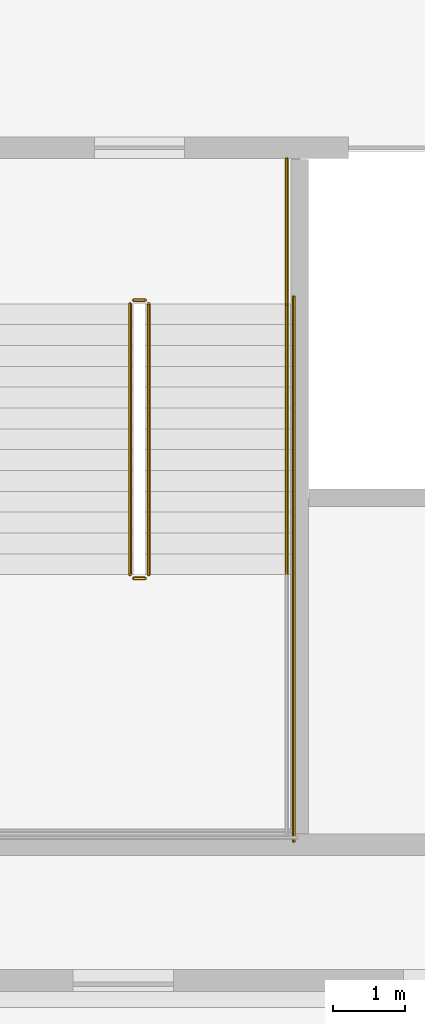
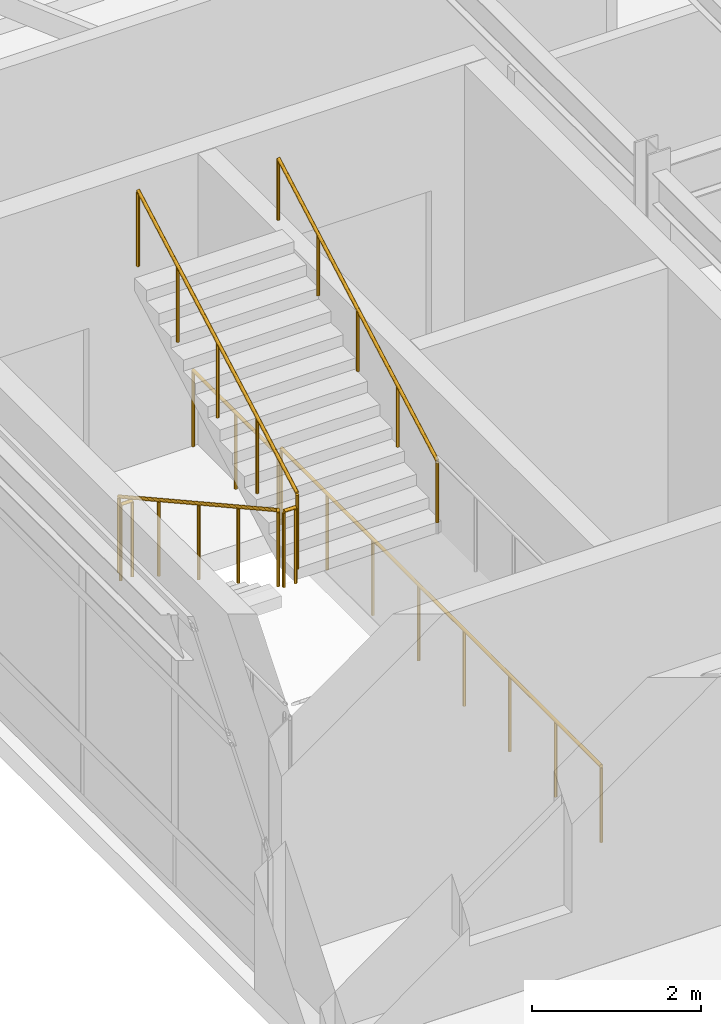
# One storey, part 79 of 88: 7 railings.
"""IFC4 building model written with IfcOpenShell, lengths in metres."""

from ifc_helpers import new_model, si_unit, direction, frame, origin, origin_2d, place, context, subcontext, project, spatial, circle, extrude, material, layer, layer_set, type_object, element, save


model = new_model("IFC4")

# Units and contexts
model_context = context("Model", 3, precision=1e-05, world=origin(), true_north=direction((0.0, 1.0)))
body_context = subcontext(model_context, "Body", "Model", "MODEL_VIEW")
ifc_project = project(units=[si_unit("LENGTHUNIT", "METRE"), si_unit("AREAUNIT", "SQUARE_METRE"), si_unit("VOLUMEUNIT", "CUBIC_METRE"), si_unit("PLANEANGLEUNIT", "RADIAN"), si_unit("MASSUNIT", "GRAM", prefix="KILO")], contexts=[model_context])

# Site, building, storey
site_placement = place(None, origin())
site = spatial("IfcSite", under=ifc_project, at=site_placement, CompositionType="ELEMENT")
building_placement = place(site_placement, origin())
building = spatial("IfcBuilding", under=site, at=building_placement, Name="Sarnbrook Museum", CompositionType="ELEMENT")
storey_placement = place(building_placement, frame((0.0, 0.0, 10.10009765625)))
storey = spatial("IfcBuildingStorey", under=building, at=storey_placement, Name="L02", CompositionType="ELEMENT", Elevation=10.10009765625)

# Railings
ifc_material = material(Name="Brushed Stainless Steel Grade 316", Category="steel")
ifc_layer_1 = layer(ifc_material, 0.050048828125)
ifc_layer_set_1 = layer_set([ifc_layer_1], Name="Brushed Stainless Steel Grade 316")
railing_type_1 = type_object("IfcRailingType", Name="Guard_Int1120", PredefinedType="BALUSTRADE", material=ifc_layer_set_1)
railing_1_placement = place(storey_placement, frame((16.409912109375, 48.8798828125, 0.16064453125)))
element("IfcRailing", 1, at=railing_1_placement, inside=storey, type_object=railing_type_1, Name="L02 ST5 stair guard 1", PredefinedType="BALUSTRADE", context=body_context, shape_type="SweptSolid", body=[
    extrude(circle(Radius=0.02392578125, at=origin_2d()), frame((0.0, 0.0, 1.09619140625), z_axis=(0.0, -0.874645791573, 0.484762559697), x_axis=(1.0, 0.0, 0.0)), (0.0, 0.0, 1.0), 4.31005859375),
    extrude(circle(Radius=0.02099609375, at=origin_2d()), origin(), (0.0, 0.0, 1.0), 1.072021484375),
    extrude(circle(Radius=0.02099609375, at=origin_2d()), frame((0.0, -0.9423828125, 0.5224609375)), (0.0, 0.0, 1.0), 1.072021484375),
    extrude(circle(Radius=0.02099609375, at=origin_2d()), frame((0.0, -1.884765625, 1.044677734375)), (0.0, 0.0, 1.0), 1.072021484375),
    extrude(circle(Radius=0.02099609375, at=origin_2d()), frame((0.0, -2.827392578125, 1.56689453125)), (0.0, 0.0, 1.0), 1.072021484375),
    extrude(circle(Radius=0.02099609375, at=origin_2d()), frame((0.0, -3.769775390625, 2.08935546875)), (0.0, 0.0, 1.0), 1.072021484375),
])
railing_2_placement = place(storey_placement, frame((16.4599609375, 45.06005859375, 2.25)))
element("IfcRailing", 2, at=railing_2_placement, inside=storey, type_object=railing_type_1, Name="L02 ST5 stair guard 2", PredefinedType="BALUSTRADE", context=body_context, shape_type="SweptSolid", body=[
    extrude(circle(Radius=0.02392578125, at=origin_2d()), frame((0.0, 0.0, 1.09619140625), z_axis=(1.0, 0.0, 0.0), x_axis=(0.0, 1.0, 0.0)), (0.0, 0.0, 1.0), 0.16015625),
    extrude(circle(Radius=0.02099609375, at=origin_2d()), origin(), (0.0, 0.0, 1.0), 1.072021484375),
    extrude(circle(Radius=0.02099609375, at=origin_2d()), frame((0.16015625, 0.0, 0.0)), (0.0, 0.0, 1.0), 1.072021484375),
])
railing_3_placement = place(storey_placement, frame((16.669921875, 45.110107421875, 2.41064453125)))
element("IfcRailing", 3, at=railing_3_placement, inside=storey, type_object=railing_type_1, Name="L02 ST5 stair guard 6", PredefinedType="BALUSTRADE", context=body_context, shape_type="SweptSolid", body=[
    extrude(circle(Radius=0.02392578125, at=origin_2d()), frame((0.0, 0.0, 1.09619140625), z_axis=(0.0, 0.874645791573, 0.484762559697), x_axis=(-1.0, 0.0, 0.0)), (0.0, 0.0, 1.0), 4.31005859375),
    extrude(circle(Radius=0.02099609375, at=origin_2d()), origin(), (0.0, 0.0, 1.0), 1.072021484375),
    extrude(circle(Radius=0.02099609375, at=origin_2d()), frame((0.0, 0.9423828125, 0.5224609375)), (0.0, 0.0, 1.0), 1.072021484375),
    extrude(circle(Radius=0.02099609375, at=origin_2d()), frame((0.0, 1.884765625, 1.044677734375)), (0.0, 0.0, 1.0), 1.072021484375),
    extrude(circle(Radius=0.02099609375, at=origin_2d()), frame((0.0, 2.827392578125, 1.56689453125)), (0.0, 0.0, 1.0), 1.072021484375),
    extrude(circle(Radius=0.02099609375, at=origin_2d()), frame((0.0, 3.769775390625, 2.08935546875)), (0.0, 0.0, 1.0), 1.072021484375),
])
railing_4_placement = place(storey_placement, frame((16.4599609375, 48.929931640625, 0.0)))
element("IfcRailing", 4, at=railing_4_placement, inside=storey, type_object=railing_type_1, Name="L02 ST5 stair guard 7", PredefinedType="BALUSTRADE", context=body_context, shape_type="SweptSolid", body=[
    extrude(circle(Radius=0.02392578125, at=origin_2d()), frame((0.0, 0.0, 1.09619140625), z_axis=(1.0, 0.0, 0.0), x_axis=(0.0, 1.0, 0.0)), (0.0, 0.0, 1.0), 0.16015625),
    extrude(circle(Radius=0.02099609375, at=origin_2d()), origin(), (0.0, 0.0, 1.0), 1.072021484375),
    extrude(circle(Radius=0.02099609375, at=origin_2d()), frame((0.16015625, 0.0, 0.0)), (0.0, 0.0, 1.0), 1.072021484375),
])
railing_5_placement = place(storey_placement, frame((18.590087890625, 50.89990234375, 0.0)))
element("IfcRailing", 5, at=railing_5_placement, inside=storey, type_object=railing_type_1, Name="L02 ST5 stair guard 9", PredefinedType="BALUSTRADE", context=body_context, shape_type="SweptSolid", body=[
    extrude(circle(Radius=0.02392578125, at=origin_2d()), frame((0.0, 0.0, 1.09619140625), z_axis=(0.0, -1.0, 0.0), x_axis=(1.0, 0.0, 0.0)), (0.0, 0.0, 1.0), 2.02001953125),
    extrude(circle(Radius=0.02099609375, at=origin_2d()), origin(), (0.0, 0.0, 1.0), 1.072021484375),
    extrude(circle(Radius=0.02099609375, at=origin_2d()), frame((0.0, -1.010009765625, 0.0)), (0.0, 0.0, 1.0), 1.072021484375),
    extrude(circle(Radius=0.02099609375, at=origin_2d()), frame((0.0, -2.02001953125, 0.0)), (0.0, 0.0, 1.0), 1.072021484375),
])
railing_6_placement = place(storey_placement, frame((18.68994140625, 48.97998046875, 0.0)))
element("IfcRailing", 6, at=railing_6_placement, inside=storey, type_object=railing_type_1, Name="L02 ST5 stair guard 11", PredefinedType="BALUSTRADE", context=body_context, shape_type="SweptSolid", body=[
    extrude(circle(Radius=0.02392578125, at=origin_2d()), frame((0.0, 0.0, 1.09619140625), z_axis=(0.0, -1.0, 0.0), x_axis=(1.0, 0.0, 0.0)), (0.0, 0.0, 1.0), 7.580078125),
    extrude(circle(Radius=0.02099609375, at=origin_2d()), origin(), (0.0, 0.0, 1.0), 1.072021484375),
    extrude(circle(Radius=0.02099609375, at=origin_2d()), frame((0.0, -1.082763671875, 0.0)), (0.0, 0.0, 1.0), 1.072021484375),
    extrude(circle(Radius=0.02099609375, at=origin_2d()), frame((0.0, -2.165771484375, 0.0)), (0.0, 0.0, 1.0), 1.072021484375),
    extrude(circle(Radius=0.02099609375, at=origin_2d()), frame((0.0, -3.24853515625, 0.0)), (0.0, 0.0, 1.0), 1.072021484375),
    extrude(circle(Radius=0.02099609375, at=origin_2d()), frame((0.0, -4.33154296875, 0.0)), (0.0, 0.0, 1.0), 1.072021484375),
    extrude(circle(Radius=0.02099609375, at=origin_2d()), frame((0.0, -5.414306640625, 0.0)), (0.0, 0.0, 1.0), 1.072021484375),
    extrude(circle(Radius=0.02099609375, at=origin_2d()), frame((0.0, -6.497314453125, 0.0)), (0.0, 0.0, 1.0), 1.072021484375),
    extrude(circle(Radius=0.02099609375, at=origin_2d()), frame((0.0, -7.580078125, 0.0)), (0.0, 0.0, 1.0), 1.072021484375),
])
ifc_layer_2 = layer(ifc_material, 0.048095703125)
ifc_layer_set_2 = layer_set([ifc_layer_2], Name="Brushed Stainless Steel Grade 316")
railing_type_2 = type_object("IfcRailingType", Name="Handrail_920", PredefinedType="HANDRAIL", material=ifc_layer_set_2)
railing_7_placement = place(storey_placement, frame((18.590087890625, 45.110107421875, 2.41064453125)))
element("IfcRailing", 7, at=railing_7_placement, inside=storey, type_object=railing_type_2, Name="L02 ST5 stair handrail 2", PredefinedType="HANDRAIL", context=body_context, shape_type="SweptSolid", body=[
    extrude(circle(Radius=0.02392578125, at=origin_2d()), frame((0.0, 0.0, 0.8857421875), z_axis=(0.0, 0.874645791573, 0.484762559697), x_axis=(-1.0, 0.0, 0.0)), (0.0, 0.0, 1.0), 4.31005859375),
    extrude(circle(Radius=0.02099609375, at=origin_2d()), origin(), (0.0, 0.0, 1.0), 0.86181640625),
    extrude(circle(Radius=0.02099609375, at=origin_2d()), frame((0.0, 0.9423828125, 0.5224609375)), (0.0, 0.0, 1.0), 0.86181640625),
    extrude(circle(Radius=0.02099609375, at=origin_2d()), frame((0.0, 1.884765625, 1.044677734375)), (0.0, 0.0, 1.0), 0.86181640625),
    extrude(circle(Radius=0.02099609375, at=origin_2d()), frame((0.0, 2.827392578125, 1.56689453125)), (0.0, 0.0, 1.0), 0.86181640625),
    extrude(circle(Radius=0.02099609375, at=origin_2d()), frame((0.0, 3.769775390625, 2.08935546875)), (0.0, 0.0, 1.0), 0.86181640625),
])

save(model, "model.ifc")
